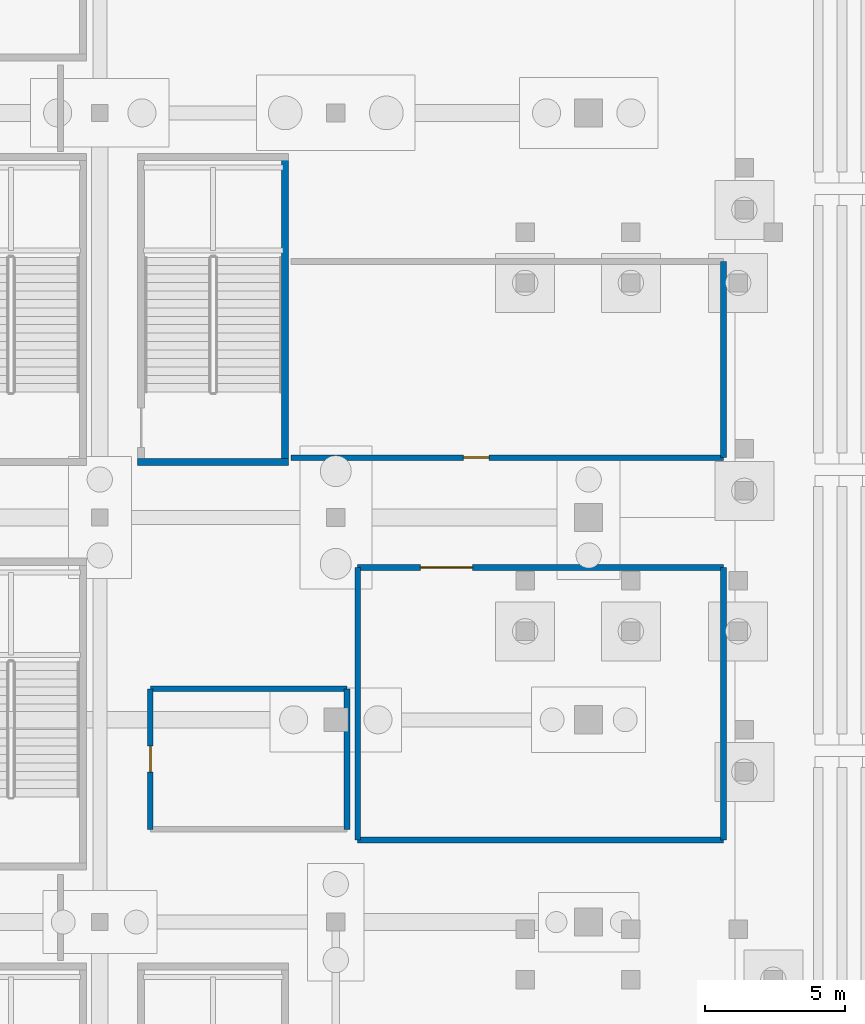
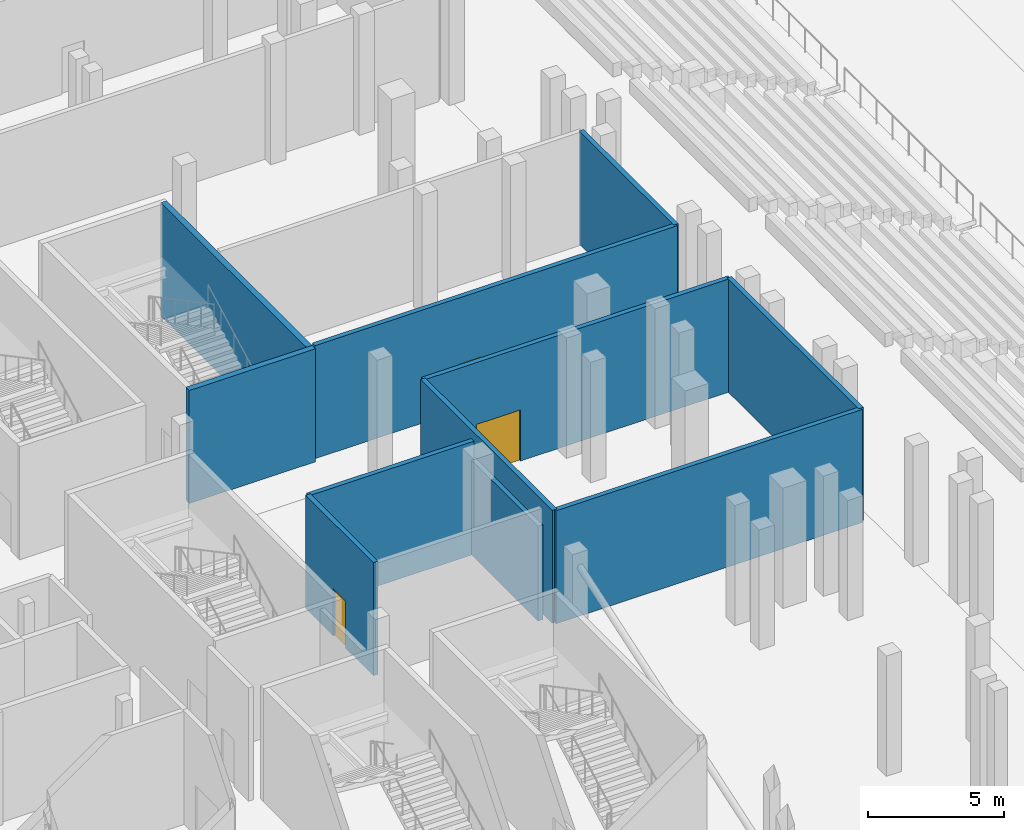
# One storey, part 33 of 89: 11 walls, 3 doors, 3 openings.
"""IFC4 building model written with IfcOpenShell, lengths in metres."""

import ifcopenshell
import ifcopenshell.guid

model = None  # the IFC model being written
_history = None  # IfcOwnerHistory: only IFC2X3 demands one
_inside = {}  # id of a spatial element -> (the spatial element, [elements in it])
_under = {}  # id of a project, library or spatial element -> (it, [spatial elements below it])
_declared = {}  # id of a project -> (the project, [libraries it declares])
_typed = {}  # id of a type object -> (the type object, [elements of that type])
_made_of = {}  # id of a material, layer set ... -> (it, [elements and type objects made of it])


def new_model(schema):
    """Start an empty IFC model of exactly this schema.

    Asked for "IFC4X3", IfcOpenShell would pick the latest addendum, in which some entities
    have other attributes; the version numbers below select the first issue.
    IFC2X3 requires an IfcOwnerHistory on every rooted entity: one is made here for all.
    """
    global model, _history
    if schema == "IFC4X3":
        model = ifcopenshell.file(schema_version=(4, 3, 0, 0))
    else:
        model = ifcopenshell.file(schema=schema)
    _inside.clear()
    _under.clear()
    _declared.clear()
    _typed.clear()
    _made_of.clear()
    _history = None
    if model.schema == "IFC2X3":
        org = make("IfcOrganization", Name="unknown")
        user = make(
            "IfcPersonAndOrganization",
            ThePerson=make("IfcPerson", FamilyName="unknown"),
            TheOrganization=org,
        )
        app = make(
            "IfcApplication",
            ApplicationDeveloper=org,
            Version="unknown",
            ApplicationFullName="unknown",
            ApplicationIdentifier="unknown",
        )
        _history = make(
            "IfcOwnerHistory",
            OwningUser=user,
            OwningApplication=app,
            ChangeAction="ADDED",
            CreationDate=0,
        )
    return model


def make(cls, **values):
    """One entity of the class cls with the attributes given. An attribute that is None is left unset."""
    return model.create_entity(
        cls, **{name: value for name, value in values.items() if value is not None}
    )


def rooted(cls, **values):
    """An entity with a GlobalId (a new one), such as an element, a storey or a relation."""
    return make(cls, GlobalId=ifcopenshell.guid.new(), OwnerHistory=_history, **values)


def si_unit(unit_type, name, prefix=None):
    """IfcSIUnit, for example si_unit("LENGTHUNIT", "METRE", prefix="MILLI")."""
    return make("IfcSIUnit", UnitType=unit_type, Prefix=prefix, Name=name)


def assignment(units):
    """IfcUnitAssignment: the units of a project."""
    return None if units is None else make("IfcUnitAssignment", Units=units)


def point(xyz):
    """IfcCartesianPoint."""
    return None if xyz is None else make("IfcCartesianPoint", Coordinates=xyz)


def direction(xyz):
    """IfcDirection."""
    return None if xyz is None else make("IfcDirection", DirectionRatios=xyz)


def frame(location, z_axis=None, x_axis=None):
    """IfcAxis2Placement3D, a coordinate frame: its origin and axes. An axis left out is left unset."""
    return make(
        "IfcAxis2Placement3D",
        Location=point(location),
        Axis=direction(z_axis),
        RefDirection=direction(x_axis),
    )


def frame_2d(location, x_axis=None):
    """IfcAxis2Placement2D, a coordinate frame in the plane: its origin and x axis."""
    return make(
        "IfcAxis2Placement2D", Location=point(location), RefDirection=direction(x_axis)
    )


def origin():
    """The frame at (0, 0, 0) with its axes left unset."""
    return frame((0.0, 0.0, 0.0))


def place(relative_to, where):
    """IfcLocalPlacement: puts the frame where relative to a parent placement (None: the world)."""
    return make(
        "IfcLocalPlacement", PlacementRelTo=relative_to, RelativePlacement=where
    )


def context(
    kind, dimensions, precision=None, world=None, true_north=None, identifier=None
):
    """IfcGeometricRepresentationContext, for example the 3D "Model" context."""
    return make(
        "IfcGeometricRepresentationContext",
        ContextIdentifier=identifier,
        ContextType=kind,
        CoordinateSpaceDimension=dimensions,
        Precision=precision,
        WorldCoordinateSystem=world,
        TrueNorth=true_north,
    )


def subcontext(parent, identifier, kind, view, scale=None):
    """IfcGeometricRepresentationSubContext, for example "Body" below "Model"."""
    return make(
        "IfcGeometricRepresentationSubContext",
        ContextIdentifier=identifier,
        ContextType=kind,
        ParentContext=parent,
        TargetScale=scale,
        TargetView=view,
    )


def project(units=None, contexts=None):
    """IfcProject with its units and contexts."""
    return rooted(
        "IfcProject",
        Name="project",
        RepresentationContexts=contexts,
        UnitsInContext=assignment(units),
    )


def spatial(cls, under=None, at=None, **own):
    """A site, building, storey or space (cls), placed at a placement, below another one or the project."""
    s = rooted(cls, ObjectPlacement=at, **own)
    if under is not None:
        _under.setdefault(under.id(), (under, []))[1].append(s)
    return s


def profile(cls, at=None, kind="AREA", **sizes):
    """A parametric profile (cls). Its sizes go by their IFC names, for example OverallWidth=200.0."""
    return make(cls, ProfileType=kind, Position=at, **sizes)


def rectangle(**sizes):
    """IfcRectangleProfileDef."""
    return profile("IfcRectangleProfileDef", **sizes)


def extrude(swept, where, along, depth):
    """IfcExtrudedAreaSolid: the profile swept, set in the frame where, extruded along a direction by depth."""
    return make(
        "IfcExtrudedAreaSolid",
        SweptArea=swept,
        Position=where,
        ExtrudedDirection=direction(along),
        Depth=depth,
    )


def shape(context_of_items, identifier, shape_type, items):
    """IfcShapeRepresentation: the items that make up one representation, for example the "Body"."""
    return make(
        "IfcShapeRepresentation",
        ContextOfItems=context_of_items,
        RepresentationIdentifier=identifier,
        RepresentationType=shape_type,
        Items=items,
    )


def material(Name=None, Category=None):
    """IfcMaterial."""
    return make("IfcMaterial", Name=Name, Category=Category)


def layer(
    of_material, thickness, ventilated=None, Name=None, Category=None, Priority=None
):
    """IfcMaterialLayer: one layer of a wall or slab, of a material (None: an air gap)."""
    return make(
        "IfcMaterialLayer",
        Material=of_material,
        LayerThickness=thickness,
        IsVentilated=ventilated,
        Name=Name,
        Category=Category,
        Priority=Priority,
    )


def layer_set(layers, Name=None):
    """IfcMaterialLayerSet."""
    return make("IfcMaterialLayerSet", MaterialLayers=layers, LayerSetName=Name)


def made_of(thing, what):
    """Note that an element or type object is made of a material, layer set ...; save() writes the relation."""
    if what is not None:
        _made_of.setdefault(what.id(), (what, []))[1].append(thing)
    return thing


def type_object(cls, material=None, **own):
    """A type object (cls), such as IfcWallType, which elements share."""
    return made_of(rooted(cls, **own), material)


def element(
    cls,
    number,
    at=None,
    inside=None,
    cuts=None,
    type_object=None,
    material=None,
    context=None,
    identifier="Body",
    shape_type=None,
    held_by="IfcProductDefinitionShape",
    body=None,
    shapes=None,
    **own,
):
    """One element of the class cls, such as IfcWall. Its Tag is "e" and its number.

    at: its placement. inside: the storey or other place that contains it. cuts: it is an
    opening in that element (IfcRelVoidsElement). A single representation is given by context,
    identifier, shape_type and body (its items); several are given by shapes. held_by: the class
    of the entity that holds the representations. save() writes the other relations.
    """
    e = rooted(cls, Tag="e%d" % number, ObjectPlacement=at, **own)
    if body is not None:
        shapes = [shape(context, identifier, shape_type, body)]
    if shapes is not None:
        e.Representation = make(held_by, Representations=shapes)
    if inside is not None:
        _inside.setdefault(inside.id(), (inside, []))[1].append(e)
    if cuts is not None:
        rooted(
            "IfcRelVoidsElement", RelatingBuildingElement=cuts, RelatedOpeningElement=e
        )
    if type_object is not None:
        _typed.setdefault(type_object.id(), (type_object, []))[1].append(e)
    return made_of(e, material)


def fill(opening, filler):
    """IfcRelFillsElement: the door or window that sits in an opening."""
    return rooted(
        "IfcRelFillsElement",
        RelatingOpeningElement=opening,
        RelatedBuildingElement=filler,
    )


def aggregate(whole, parts):
    """IfcRelAggregates: a whole, such as a stair, and the parts it consists of."""
    return rooted("IfcRelAggregates", RelatingObject=whole, RelatedObjects=parts)


def save(model, path):
    """Write the relations noted so far, then the file.

    IfcRelAggregates (storeys below a building ...), IfcRelContainedInSpatialStructure (elements
    in a storey), IfcRelDefinesByType, IfcRelAssociatesMaterial and IfcRelDeclares: one each for
    every whole, place, type object, material and project.
    """
    for whole, parts in _under.values():
        aggregate(whole, parts)
    for where, things in _inside.values():
        rooted(
            "IfcRelContainedInSpatialStructure",
            RelatedElements=things,
            RelatingStructure=where,
        )
    for kind, things in _typed.values():
        rooted("IfcRelDefinesByType", RelatedObjects=things, RelatingType=kind)
    for what, things in _made_of.values():
        rooted("IfcRelAssociatesMaterial", RelatedObjects=things, RelatingMaterial=what)
    for by, libraries in _declared.values():
        rooted("IfcRelDeclares", RelatingContext=by, RelatedDefinitions=libraries)
    model.write(path)


model = new_model("IFC4")

# Units and contexts
model_context = context("Model", 3, precision=1e-05, world=origin(), true_north=direction((0.0, 1.0)))
body_context = subcontext(model_context, "Body", "Model", "MODEL_VIEW")
ifc_project = project(units=[si_unit("LENGTHUNIT", "METRE"), si_unit("AREAUNIT", "SQUARE_METRE"), si_unit("VOLUMEUNIT", "CUBIC_METRE"), si_unit("PLANEANGLEUNIT", "RADIAN"), si_unit("MASSUNIT", "GRAM", prefix="KILO")], contexts=[model_context])

# Site, building, storey
site_placement = place(None, origin())
site = spatial("IfcSite", under=ifc_project, at=site_placement, CompositionType="ELEMENT")
building_placement = place(site_placement, origin())
building = spatial("IfcBuilding", under=site, at=building_placement, Name="Koshinbarg Plaza Stadium", CompositionType="ELEMENT")
storey_placement = place(building_placement, origin())
storey = spatial("IfcBuildingStorey", under=building, at=storey_placement, Name="L00", CompositionType="ELEMENT", Elevation=0.0)

# Walls
ifc_material_1 = material(Name="Concrete C40/50", Category="concrete")
ifc_layer_1 = layer(ifc_material_1, 0.25)
ifc_layer_set_1 = layer_set([ifc_layer_1], Name="Concrete C40/50")
wall_type_1 = type_object("IfcWallType", Name="WL-CORE-250", PredefinedType="SHEAR", material=ifc_layer_set_1)
wall_1_placement = place(storey_placement, frame((47.550048828125, 56.27490234375, 0.0), z_axis=(0.0, 0.0, 1.0), x_axis=(1.0, 0.0, 0.0)))
element("IfcWall", 1, at=wall_1_placement, inside=storey, type_object=wall_type_1, Name="L00 vomitory stair shear wall VL02-near IWL-L00-0554", PredefinedType="SHEAR", context=body_context, shape_type="SweptSolid", body=[
    extrude(rectangle(XDim=5.369873046875, YDim=0.25, at=frame_2d((2.68505859375, 0.0))), origin(), (0.0, 0.0, 1.0), 5.080078125),
])
wall_2_placement = place(storey_placement, frame((52.794921875, 56.27490234375, 0.0), z_axis=(0.0, 0.0, 1.0), x_axis=(0.0, 1.0, 0.0)))
element("IfcWall", 2, at=wall_2_placement, inside=storey, type_object=wall_type_1, Name="L00 vomitory stair shear wall VL02-right IWL-L00-0557", PredefinedType="SHEAR", context=body_context, shape_type="SweptSolid", body=[
    extrude(rectangle(XDim=10.85009765625, YDim=0.25, at=frame_2d((5.425048828125, 0.0))), origin(), (0.0, 0.0, 1.0), 5.080078125),
])
ifc_material_2 = material(Name="Autoclaved aerated blockwork fire partition", Category="masonry")
ifc_layer_2 = layer(ifc_material_2, 0.199951171875)
ifc_layer_set_2 = layer_set([ifc_layer_2], Name="Autoclaved aerated blockwork fire partition")
wall_type_2 = type_object("IfcWallType", Name="WL-PART-200", PredefinedType="PARTITIONING", material=ifc_layer_set_2)
wall_3_placement = place(storey_placement, frame((55.0, 43.199951171875, 0.0), z_axis=(0.0, 0.0, 1.0), x_axis=(0.0, 1.0, 0.0)))
element("IfcWall", 3, at=wall_3_placement, inside=storey, type_object=wall_type_2, Name="L00 interior partition L00-65-east IWL-L00-1050", PredefinedType="PARTITIONING", context=body_context, shape_type="SweptSolid", body=[
    extrude(rectangle(XDim=5.0, YDim=0.199951171875, at=frame_2d((2.5, 0.0))), origin(), (0.0, 0.0, 1.0), 4.260009765625),
])
wall_4_placement = place(storey_placement, frame((55.0, 48.199951171875, 0.0), z_axis=(0.0, 0.0, 1.0), x_axis=(-1.0, 0.0, 0.0)))
element("IfcWall", 4, at=wall_4_placement, inside=storey, type_object=wall_type_2, Name="L00 interior partition L00-65-north IWL-L00-1051", PredefinedType="PARTITIONING", context=body_context, shape_type="SweptSolid", body=[
    extrude(rectangle(XDim=7.0, YDim=0.199951171875, at=frame_2d((3.5, 0.0))), origin(), (0.0, 0.0, 1.0), 5.080078125),
])

# Wall, opening, door
wall_5_placement = place(storey_placement, frame((48.0, 48.199951171875, 0.0), z_axis=(0.0, 0.0, 1.0), x_axis=(0.0, -1.0, 0.0)))
wall_5 = element("IfcWall", 5, at=wall_5_placement, inside=storey, type_object=wall_type_2, Name="L00 interior partition L00-65-west IWL-L00-1052", PredefinedType="PARTITIONING", context=body_context, shape_type="SweptSolid", body=[
    extrude(rectangle(XDim=5.0, YDim=0.199951171875, at=frame_2d((2.5, 0.0))), origin(), (0.0, 0.0, 1.0), 5.080078125),
])
opening_1_placement = place(wall_5_placement, frame((2.0400390625, 0.0, 0.0)))
opening_1 = element("IfcOpeningElement", 6, at=opening_1_placement, cuts=wall_5, Name="Opening D-0334", PredefinedType="OPENING", context=body_context, shape_type="SweptSolid", body=[
    extrude(rectangle(XDim=0.919921875, YDim=2.10009765625, at=frame_2d((0.4599609375, 1.050048828125))), frame((0.0, 0.10986328125, 0.0), z_axis=(0.0, -1.0, 0.0), x_axis=(1.0, 0.0, 0.0)), (0.0, 0.0, 1.0), 0.219970703125),
])
ifc_material_3 = material(Name="Solid-core oak veneer acoustic door")
door_type_1 = type_object("IfcDoorType", Name="DR-INT-0920x2100", OperationType="NOTDEFINED", PredefinedType="DOOR", material=ifc_material_3)
door_1_placement = place(opening_1_placement, origin())
door_1 = element("IfcDoor", 7, at=door_1_placement, inside=storey, type_object=door_type_1, Name="L00 Fire Command Centre door D-0334", OperationType="SINGLE_SWING_RIGHT", OverallHeight=2.10009765625, OverallWidth=0.919921875, PredefinedType="DOOR", context=body_context, shape_type="SweptSolid", body=[
    extrude(rectangle(XDim=0.919921875, YDim=2.10009765625, at=frame_2d((0.4599609375, 1.050048828125))), frame((0.0, 0.02490234375, 0.0), z_axis=(0.0, -1.0, 0.0), x_axis=(1.0, 0.0, 0.0)), (0.0, 0.0, 1.0), 0.050048828125),
])
fill(opening_1, door_1)

# Walls
wall_6_placement = place(storey_placement, frame((55.3798828125, 42.820068359375, 0.0), z_axis=(0.0, 0.0, 1.0), x_axis=(1.0, 0.0, 0.0)))
element("IfcWall", 8, at=wall_6_placement, inside=storey, type_object=wall_type_2, Name="L00 interior partition L00-76-south IWL-L00-1077", PredefinedType="PARTITIONING", context=body_context, shape_type="SweptSolid", body=[
    extrude(rectangle(XDim=13.02001953125, YDim=0.199951171875, at=frame_2d((6.510009765625, 0.0))), origin(), (0.0, 0.0, 1.0), 5.080078125),
])
wall_7_placement = place(storey_placement, frame((68.39990234375, 42.820068359375, 0.0), z_axis=(0.0, 0.0, 1.0), x_axis=(0.0, 1.0, 0.0)))
element("IfcWall", 9, at=wall_7_placement, inside=storey, type_object=wall_type_2, Name="L00 interior partition L00-76-east IWL-L00-1078", PredefinedType="PARTITIONING", context=body_context, shape_type="SweptSolid", body=[
    extrude(rectangle(XDim=9.699951171875, YDim=0.199951171875, at=frame_2d((4.85009765625, 0.0))), origin(), (0.0, 0.0, 1.0), 5.080078125),
])

# Wall, opening, door
wall_8_placement = place(storey_placement, frame((68.39990234375, 52.52001953125, 0.0), z_axis=(0.0, 0.0, 1.0), x_axis=(-1.0, 0.0, 0.0)))
wall_8 = element("IfcWall", 10, at=wall_8_placement, inside=storey, type_object=wall_type_2, Name="L00 interior partition L00-76-north IWL-L00-1079", PredefinedType="PARTITIONING", context=body_context, shape_type="SweptSolid", body=[
    extrude(rectangle(XDim=13.02001953125, YDim=0.199951171875, at=frame_2d((6.510009765625, 0.0))), origin(), (0.0, 0.0, 1.0), 5.080078125),
])
opening_2_placement = place(wall_8_placement, frame((8.92724609375, 0.0, 0.0)))
opening_2 = element("IfcOpeningElement", 11, at=opening_2_placement, cuts=wall_8, Name="Opening D-0345", PredefinedType="OPENING", context=body_context, shape_type="SweptSolid", body=[
    extrude(rectangle(XDim=1.860107421875, YDim=2.300048828125, at=frame_2d((0.93017578125, 1.14990234375))), frame((0.0, 0.10986328125, 0.0), z_axis=(0.0, -1.0, 0.0), x_axis=(1.0, 0.0, 0.0)), (0.0, 0.0, 1.0), 0.219970703125),
])
ifc_material_4 = material(Name="Acoustic solid-core walnut veneer fire door")
door_type_2 = type_object("IfcDoorType", Name="DR-INT-1860x2300", OperationType="NOTDEFINED", PredefinedType="DOOR", material=ifc_material_4)
door_2_placement = place(opening_2_placement, origin())
door_2 = element("IfcDoor", 12, at=door_2_placement, inside=storey, type_object=door_type_2, Name="L00 Match Officials Suite door D-0345", OperationType="DOUBLE_DOOR_SINGLE_SWING", OverallHeight=2.300048828125, OverallWidth=1.860107421875, PredefinedType="DOOR", context=body_context, shape_type="SweptSolid", body=[
    extrude(rectangle(XDim=1.860107421875, YDim=2.300048828125, at=frame_2d((0.93017578125, 1.14990234375))), frame((0.0, 0.02490234375, 0.0), z_axis=(0.0, -1.0, 0.0), x_axis=(1.0, 0.0, 0.0)), (0.0, 0.0, 1.0), 0.050048828125),
])
fill(opening_2, door_2)

# Wall
wall_9_placement = place(storey_placement, frame((55.3798828125, 52.52001953125, 0.0), z_axis=(0.0, 0.0, 1.0), x_axis=(0.0, -1.0, 0.0)))
element("IfcWall", 13, at=wall_9_placement, inside=storey, type_object=wall_type_2, Name="L00 interior partition L00-76-west IWL-L00-1080", PredefinedType="PARTITIONING", context=body_context, shape_type="SweptSolid", body=[
    extrude(rectangle(XDim=9.699951171875, YDim=0.199951171875, at=frame_2d((4.85009765625, 0.0))), origin(), (0.0, 0.0, 1.0), 5.080078125),
])

# Wall, opening, door
wall_10_placement = place(storey_placement, frame((53.0, 56.429931640625, 0.0), z_axis=(0.0, 0.0, 1.0), x_axis=(1.0, 0.0, 0.0)))
wall_10 = element("IfcWall", 14, at=wall_10_placement, inside=storey, type_object=wall_type_2, Name="L00 interior partition L00-82-south IWL-L00-1095", PredefinedType="PARTITIONING", context=body_context, shape_type="SweptSolid", body=[
    extrude(rectangle(XDim=15.39990234375, YDim=0.199951171875, at=frame_2d((7.699951171875, 0.0))), origin(), (0.0, 0.0, 1.0), 5.080078125),
])
opening_3_placement = place(wall_10_placement, frame((6.1376953125, 0.0, 0.0)))
opening_3 = element("IfcOpeningElement", 15, at=opening_3_placement, cuts=wall_10, Name="Opening D-0351", PredefinedType="OPENING", context=body_context, shape_type="SweptSolid", body=[
    extrude(rectangle(XDim=0.919921875, YDim=2.10009765625, at=frame_2d((0.4599609375, 1.050048828125))), frame((0.0, 0.10986328125, 0.0), z_axis=(0.0, -1.0, 0.0), x_axis=(1.0, 0.0, 0.0)), (0.0, 0.0, 1.0), 0.219970703125),
])
door_3_placement = place(opening_3_placement, origin())
door_3 = element("IfcDoor", 16, at=door_3_placement, inside=storey, type_object=door_type_1, Name="L00 Medical and Doping Control Room door D-0351", OperationType="SINGLE_SWING_LEFT", OverallHeight=2.10009765625, OverallWidth=0.919921875, PredefinedType="DOOR", context=body_context, shape_type="SweptSolid", body=[
    extrude(rectangle(XDim=0.919921875, YDim=2.10009765625, at=frame_2d((0.4599609375, 1.050048828125))), frame((0.0, 0.02490234375, 0.0), z_axis=(0.0, -1.0, 0.0), x_axis=(1.0, 0.0, 0.0)), (0.0, 0.0, 1.0), 0.050048828125),
])
fill(opening_3, door_3)

# Wall
wall_11_placement = place(storey_placement, frame((68.39990234375, 56.429931640625, 0.0), z_axis=(0.0, 0.0, 1.0), x_axis=(0.0, 1.0, 0.0)))
element("IfcWall", 17, at=wall_11_placement, inside=storey, type_object=wall_type_2, Name="L00 interior partition L00-82-east IWL-L00-1096", PredefinedType="PARTITIONING", context=body_context, shape_type="SweptSolid", body=[
    extrude(rectangle(XDim=6.979248046875, YDim=0.199951171875, at=frame_2d((3.48974609375, 0.0))), origin(), (0.0, 0.0, 1.0), 5.080078125),
])

save(model, "model.ifc")
